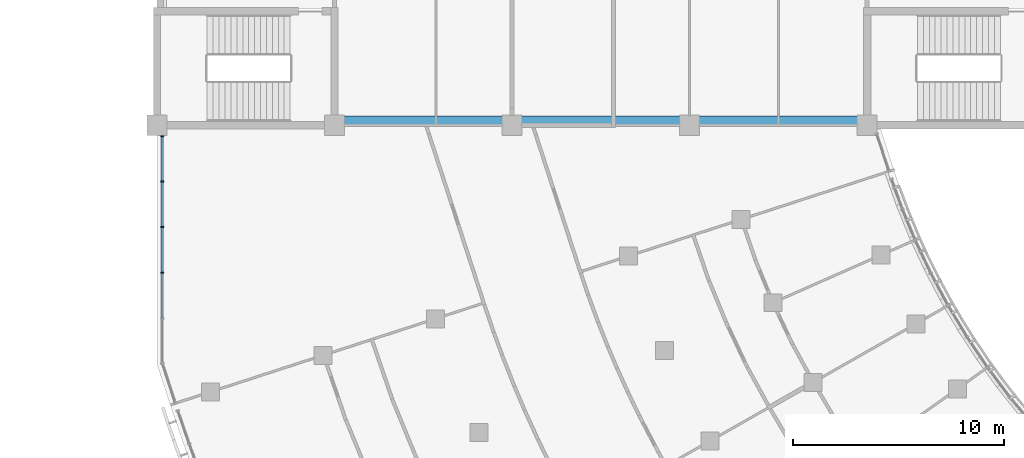
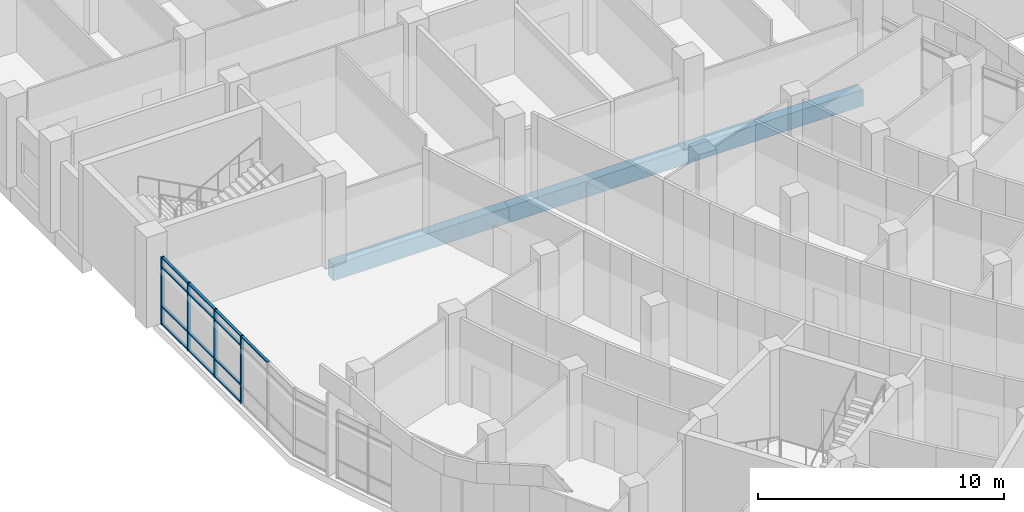
# One storey, part 18 of 136: 17 members, 3 beams, 1 element without a shape of its own.
"""IFC4 building model written with IfcOpenShell, lengths in metres."""

from ifc_helpers import new_model, si_unit, direction, frame, origin, origin_2d, place, context, subcontext, project, spatial, rectangle, extrude, material, material_profile, profile_set, type_object, element, aggregate, save


model = new_model("IFC4")

# Units and contexts
model_context = context("Model", 3, precision=1e-05, world=origin(), true_north=direction((0.0, 1.0)))
body_context = subcontext(model_context, "Body", "Model", "MODEL_VIEW")
ifc_project = project(units=[si_unit("LENGTHUNIT", "METRE"), si_unit("AREAUNIT", "SQUARE_METRE"), si_unit("VOLUMEUNIT", "CUBIC_METRE"), si_unit("PLANEANGLEUNIT", "RADIAN"), si_unit("MASSUNIT", "GRAM", prefix="KILO")], contexts=[model_context])

# Site, building, storey
site_placement = place(None, origin())
site = spatial("IfcSite", under=ifc_project, at=site_placement, CompositionType="ELEMENT")
building_placement = place(site_placement, origin())
building = spatial("IfcBuilding", under=site, at=building_placement, Name="Bougainvillea Quay General Hospital", CompositionType="ELEMENT")
storey_placement = place(building_placement, frame((0.0, 0.0, 5.39990234375)))
storey = spatial("IfcBuildingStorey", under=building, at=storey_placement, Name="L01", CompositionType="ELEMENT", Elevation=5.39990234375)

# Curtain wall, members
ifc_material_1 = material(Name="Aluminium curtain wall system, powder-coated glazed", Category="aluminium")
curtain_wall_type = type_object("IfcCurtainWallType", Name="Unitised curtain wall CW-2162", PredefinedType="NOTDEFINED", material=ifc_material_1)
curtain_wall_placement = place(storey_placement, origin())
curtain_wall = element("IfcCurtainWall", 1, at=curtain_wall_placement, inside=storey, type_object=curtain_wall_type, Name="CW-AE 00", PredefinedType="NOTDEFINED")
ifc_material_2 = material(Name="Aluminium mullion, powder-coated charcoal", Category="aluminium")
ifc_material_profile_1 = material_profile(ifc_material_2, rectangle(XDim=0.159912109375, YDim=0.06005859375, at=origin_2d()))
ifc_profile_set_1 = profile_set([ifc_material_profile_1], Name="Aluminium mullion, powder-coated charcoal")
member_type_1 = type_object("IfcMemberType", Name="Curtain wall mullion 160x60", PredefinedType="MULLION", material=ifc_profile_set_1)
member_1_placement = place(storey_placement, frame((42.25, 117.074951171875, 0.0), z_axis=(0.0, 0.0, 1.0), x_axis=(1.0, 0.0, 0.0)))
member_1 = element("IfcMember", 2, at=member_1_placement, type_object=member_type_1, Name="CW-AE mullion 1", PredefinedType="MULLION", context=body_context, shape_type="SweptSolid", body=[
    extrude(rectangle(XDim=0.159912109375, YDim=0.06005859375, at=origin_2d()), origin(), (0.0, 0.0, 1.0), 3.35009765625),
])
member_2_placement = place(storey_placement, frame((42.25, 114.943115234375, 0.0), z_axis=(0.0, 0.0, 1.0), x_axis=(1.0, 0.0, 0.0)))
member_2 = element("IfcMember", 3, at=member_2_placement, type_object=member_type_1, Name="CW-AE mullion 2", PredefinedType="MULLION", context=body_context, shape_type="SweptSolid", body=[
    extrude(rectangle(XDim=0.159912109375, YDim=0.06005859375, at=origin_2d()), origin(), (0.0, 0.0, 1.0), 3.35009765625),
])
member_3_placement = place(storey_placement, frame((42.25, 112.781494140625, 0.0), z_axis=(0.0, 0.0, 1.0), x_axis=(1.0, 0.0, 0.0)))
member_3 = element("IfcMember", 4, at=member_3_placement, type_object=member_type_1, Name="CW-AE mullion 3", PredefinedType="MULLION", context=body_context, shape_type="SweptSolid", body=[
    extrude(rectangle(XDim=0.159912109375, YDim=0.06005859375, at=origin_2d()), origin(), (0.0, 0.0, 1.0), 3.35009765625),
])
member_4_placement = place(storey_placement, frame((42.25, 110.61962890625, 0.0), z_axis=(0.0, 0.0, 1.0), x_axis=(1.0, 0.0, 0.0)))
member_4 = element("IfcMember", 5, at=member_4_placement, type_object=member_type_1, Name="CW-AE mullion 4", PredefinedType="MULLION", context=body_context, shape_type="SweptSolid", body=[
    extrude(rectangle(XDim=0.159912109375, YDim=0.06005859375, at=origin_2d()), origin(), (0.0, 0.0, 1.0), 3.35009765625),
])
ifc_material_3 = material(Name="Aluminium transom, powder-coated charcoal", Category="aluminium")
ifc_material_profile_2 = material_profile(ifc_material_3, rectangle(XDim=0.1201171875, YDim=0.06005859375, at=origin_2d()))
ifc_profile_set_2 = profile_set([ifc_material_profile_2], Name="Aluminium transom, powder-coated charcoal")
member_type_2 = type_object("IfcMemberType", Name="Curtain wall transom 120x60", PredefinedType="USERDEFINED", material=ifc_profile_set_2)
member_5_placement = place(storey_placement, frame((42.25, 117.044921875, 0.030029296875), z_axis=(0.0, -1.0, 0.0), x_axis=(1.0, 0.0, 0.0)))
member_5 = element("IfcMember", 6, at=member_5_placement, type_object=member_type_2, Name="CW-AE transom 1.1", ObjectType="TRANSOM", PredefinedType="USERDEFINED", context=body_context, shape_type="SweptSolid", body=[
    extrude(rectangle(XDim=0.1201171875, YDim=0.06005859375, at=origin_2d()), origin(), (0.0, 0.0, 1.0), 2.07177734375),
])
member_6_placement = place(storey_placement, frame((42.25, 117.044921875, 0.900146484375), z_axis=(0.0, -1.0, 0.0), x_axis=(1.0, 0.0, 0.0)))
member_6 = element("IfcMember", 7, at=member_6_placement, type_object=member_type_2, Name="CW-AE transom 1.2", ObjectType="TRANSOM", PredefinedType="USERDEFINED", context=body_context, shape_type="SweptSolid", body=[
    extrude(rectangle(XDim=0.1201171875, YDim=0.06005859375, at=origin_2d()), origin(), (0.0, 0.0, 1.0), 2.07177734375),
])
member_7_placement = place(storey_placement, frame((42.25, 117.044921875, 2.85009765625), z_axis=(0.0, -1.0, 0.0), x_axis=(1.0, 0.0, 0.0)))
member_7 = element("IfcMember", 8, at=member_7_placement, type_object=member_type_2, Name="CW-AE transom 1.3", ObjectType="TRANSOM", PredefinedType="USERDEFINED", context=body_context, shape_type="SweptSolid", body=[
    extrude(rectangle(XDim=0.1201171875, YDim=0.06005859375, at=origin_2d()), origin(), (0.0, 0.0, 1.0), 2.07177734375),
])
member_8_placement = place(storey_placement, frame((42.25, 117.044921875, 3.320068359375), z_axis=(0.0, -1.0, 0.0), x_axis=(1.0, 0.0, 0.0)))
member_8 = element("IfcMember", 9, at=member_8_placement, type_object=member_type_2, Name="CW-AE transom 1.4", ObjectType="TRANSOM", PredefinedType="USERDEFINED", context=body_context, shape_type="SweptSolid", body=[
    extrude(rectangle(XDim=0.1201171875, YDim=0.06005859375, at=origin_2d()), origin(), (0.0, 0.0, 1.0), 2.07177734375),
])
member_9_placement = place(storey_placement, frame((42.25, 114.9130859375, 0.030029296875), z_axis=(0.0, -1.0, 0.0), x_axis=(1.0, 0.0, 0.0)))
member_9 = element("IfcMember", 10, at=member_9_placement, type_object=member_type_2, Name="CW-AE transom 2.1", ObjectType="TRANSOM", PredefinedType="USERDEFINED", context=body_context, shape_type="SweptSolid", body=[
    extrude(rectangle(XDim=0.1201171875, YDim=0.06005859375, at=origin_2d()), origin(), (0.0, 0.0, 1.0), 2.101806640625),
])
member_10_placement = place(storey_placement, frame((42.25, 114.9130859375, 0.900146484375), z_axis=(0.0, -1.0, 0.0), x_axis=(1.0, 0.0, 0.0)))
member_10 = element("IfcMember", 11, at=member_10_placement, type_object=member_type_2, Name="CW-AE transom 2.2", ObjectType="TRANSOM", PredefinedType="USERDEFINED", context=body_context, shape_type="SweptSolid", body=[
    extrude(rectangle(XDim=0.1201171875, YDim=0.06005859375, at=origin_2d()), origin(), (0.0, 0.0, 1.0), 2.101806640625),
])
member_11_placement = place(storey_placement, frame((42.25, 114.9130859375, 2.85009765625), z_axis=(0.0, -1.0, 0.0), x_axis=(1.0, 0.0, 0.0)))
member_11 = element("IfcMember", 12, at=member_11_placement, type_object=member_type_2, Name="CW-AE transom 2.3", ObjectType="TRANSOM", PredefinedType="USERDEFINED", context=body_context, shape_type="SweptSolid", body=[
    extrude(rectangle(XDim=0.1201171875, YDim=0.06005859375, at=origin_2d()), origin(), (0.0, 0.0, 1.0), 2.101806640625),
])
member_12_placement = place(storey_placement, frame((42.25, 114.9130859375, 3.320068359375), z_axis=(0.0, -1.0, 0.0), x_axis=(1.0, 0.0, 0.0)))
member_12 = element("IfcMember", 13, at=member_12_placement, type_object=member_type_2, Name="CW-AE transom 2.4", ObjectType="TRANSOM", PredefinedType="USERDEFINED", context=body_context, shape_type="SweptSolid", body=[
    extrude(rectangle(XDim=0.1201171875, YDim=0.06005859375, at=origin_2d()), origin(), (0.0, 0.0, 1.0), 2.101806640625),
])
member_13_placement = place(storey_placement, frame((42.25, 112.75146484375, 0.030029296875), z_axis=(0.0, -1.0, 0.0), x_axis=(1.0, 0.0, 0.0)))
member_13 = element("IfcMember", 14, at=member_13_placement, type_object=member_type_2, Name="CW-AE transom 3.1", ObjectType="TRANSOM", PredefinedType="USERDEFINED", context=body_context, shape_type="SweptSolid", body=[
    extrude(rectangle(XDim=0.1201171875, YDim=0.06005859375, at=origin_2d()), origin(), (0.0, 0.0, 1.0), 2.101806640625),
])
member_14_placement = place(storey_placement, frame((42.25, 112.75146484375, 0.900146484375), z_axis=(0.0, -1.0, 0.0), x_axis=(1.0, 0.0, 0.0)))
member_14 = element("IfcMember", 15, at=member_14_placement, type_object=member_type_2, Name="CW-AE transom 3.2", ObjectType="TRANSOM", PredefinedType="USERDEFINED", context=body_context, shape_type="SweptSolid", body=[
    extrude(rectangle(XDim=0.1201171875, YDim=0.06005859375, at=origin_2d()), origin(), (0.0, 0.0, 1.0), 2.101806640625),
])
member_15_placement = place(storey_placement, frame((42.25, 112.75146484375, 2.85009765625), z_axis=(0.0, -1.0, 0.0), x_axis=(1.0, 0.0, 0.0)))
member_15 = element("IfcMember", 16, at=member_15_placement, type_object=member_type_2, Name="CW-AE transom 3.3", ObjectType="TRANSOM", PredefinedType="USERDEFINED", context=body_context, shape_type="SweptSolid", body=[
    extrude(rectangle(XDim=0.1201171875, YDim=0.06005859375, at=origin_2d()), origin(), (0.0, 0.0, 1.0), 2.101806640625),
])
member_16_placement = place(storey_placement, frame((42.25, 112.75146484375, 3.320068359375), z_axis=(0.0, -1.0, 0.0), x_axis=(1.0, 0.0, 0.0)))
member_16 = element("IfcMember", 17, at=member_16_placement, type_object=member_type_2, Name="CW-AE transom 3.4", ObjectType="TRANSOM", PredefinedType="USERDEFINED", context=body_context, shape_type="SweptSolid", body=[
    extrude(rectangle(XDim=0.1201171875, YDim=0.06005859375, at=origin_2d()), origin(), (0.0, 0.0, 1.0), 2.101806640625),
])
member_17_placement = place(storey_placement, frame((42.25, 110.589599609375, 3.320068359375), z_axis=(0.0, -1.0, 0.0), x_axis=(1.0, 0.0, 0.0)))
member_17 = element("IfcMember", 18, at=member_17_placement, type_object=member_type_2, Name="CW-AE transom 4.4", ObjectType="TRANSOM", PredefinedType="USERDEFINED", context=body_context, shape_type="SweptSolid", body=[
    extrude(rectangle(XDim=0.1201171875, YDim=0.06005859375, at=origin_2d()), origin(), (0.0, 0.0, 1.0), 2.101806640625),
])
aggregate(curtain_wall, [member_1, member_2, member_3, member_4, member_5, member_6, member_7, member_8, member_9, member_10, member_11, member_12, member_13, member_14, member_15, member_16, member_17])

# Beams
ifc_material_4 = material(Name="Concrete C40", Category="concrete")
ifc_material_profile_3 = material_profile(ifc_material_4, rectangle(XDim=0.449951171875, YDim=0.800048828125, at=origin_2d()))
ifc_profile_set_3 = profile_set([ifc_material_profile_3], Name="Concrete C40")
beam_type = type_object("IfcBeamType", Name="RC BEAM 450x800 C40", PredefinedType="BEAM", material=ifc_profile_set_3)
beam_1_placement = place(storey_placement, frame((50.574951171875, 117.824951171875, -0.699951171875), z_axis=(1.0, 0.0, 0.0), x_axis=(0.0, 1.0, 0.0)))
element("IfcBeam", 19, at=beam_1_placement, inside=storey, type_object=beam_type, Name="Edge beam L01", PredefinedType="BEAM", context=body_context, shape_type="SweptSolid", body=[
    extrude(rectangle(XDim=0.449951171875, YDim=0.800048828125, at=origin_2d()), origin(), (0.0, 0.0, 1.0), 8.22509765625),
])
beam_2_placement = place(storey_placement, frame((58.800048828125, 117.824951171875, -0.699951171875), z_axis=(1.0, 0.0, 0.0), x_axis=(0.0, 1.0, 0.0)))
element("IfcBeam", 20, at=beam_2_placement, inside=storey, type_object=beam_type, Name="Edge beam L01", PredefinedType="BEAM", context=body_context, shape_type="SweptSolid", body=[
    extrude(rectangle(XDim=0.449951171875, YDim=0.800048828125, at=origin_2d()), origin(), (0.0, 0.0, 1.0), 8.39990234375),
])
beam_3_placement = place(storey_placement, frame((67.199951171875, 117.824951171875, -0.699951171875), z_axis=(1.0, 0.0, 0.0), x_axis=(0.0, 1.0, 0.0)))
element("IfcBeam", 21, at=beam_3_placement, inside=storey, type_object=beam_type, Name="Edge beam L01", PredefinedType="BEAM", context=body_context, shape_type="SweptSolid", body=[
    extrude(rectangle(XDim=0.449951171875, YDim=0.800048828125, at=origin_2d()), origin(), (0.0, 0.0, 1.0), 8.22509765625),
])

save(model, "model.ifc")
